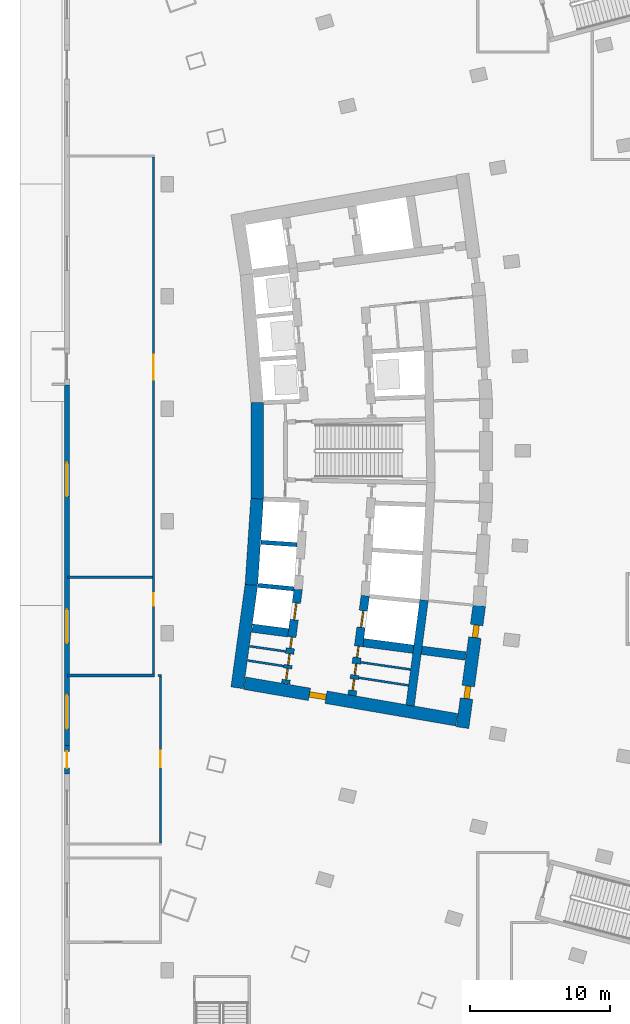
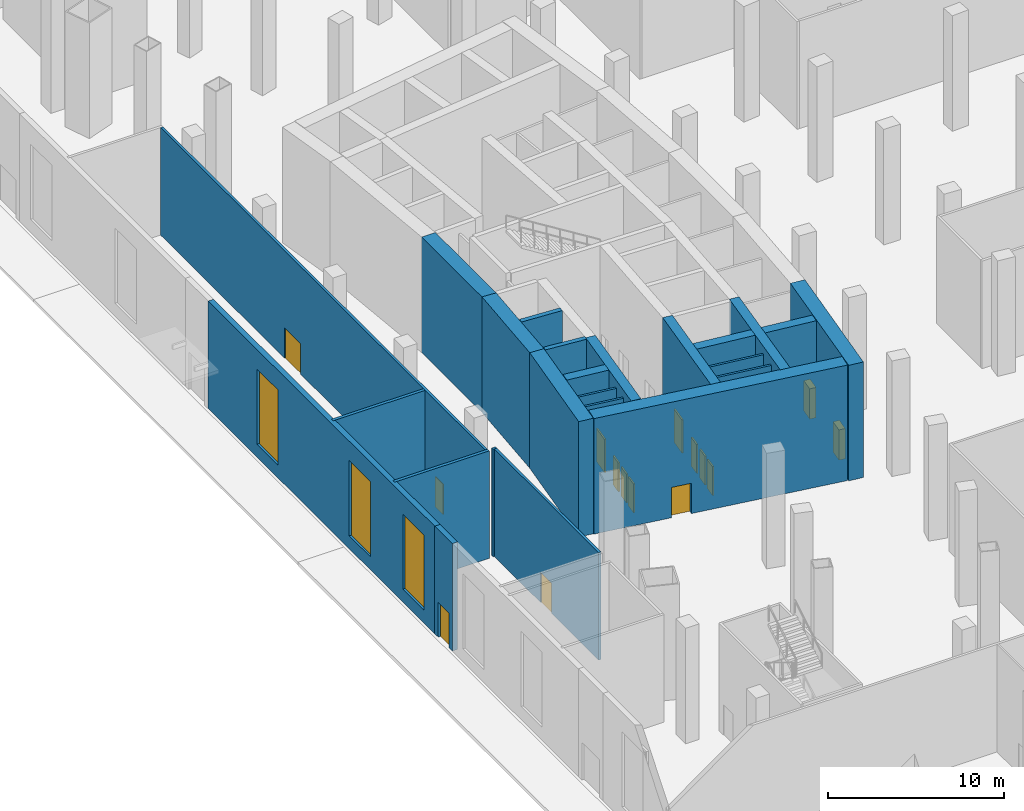
# One storey, part 14 of 33: 24 walls, 15 doors, 3 windows, 18 openings.
"""IFC4 building model written with IfcOpenShell, lengths in metres."""

from ifc_helpers import new_model, si_unit, direction, frame, frame_2d, origin, place, context, subcontext, project, spatial, rectangle, extrude, material, layer, layer_set, type_object, element, fill, save


model = new_model("IFC4")

# Units and contexts
model_context = context("Model", 3, precision=1e-05, world=origin(), true_north=direction((0.0, 1.0)))
body_context = subcontext(model_context, "Body", "Model", "MODEL_VIEW")
ifc_project = project(units=[si_unit("LENGTHUNIT", "METRE"), si_unit("AREAUNIT", "SQUARE_METRE"), si_unit("VOLUMEUNIT", "CUBIC_METRE"), si_unit("PLANEANGLEUNIT", "RADIAN"), si_unit("MASSUNIT", "GRAM", prefix="KILO")], contexts=[model_context])

# Site, building, storey
site_placement = place(None, origin())
site = spatial("IfcSite", under=ifc_project, at=site_placement, CompositionType="ELEMENT")
building_placement = place(site_placement, origin())
building = spatial("IfcBuilding", under=site, at=building_placement, Name="Alderwake Tower", CompositionType="ELEMENT")
storey_placement = place(building_placement, origin())
storey = spatial("IfcBuildingStorey", under=building, at=storey_placement, Name="L00", CompositionType="ELEMENT", Elevation=0.0)

# Walls
ifc_material_1 = material(Name="Gypsum shaft wall system, rated")
ifc_layer_1 = layer(ifc_material_1, 0.14990234375)
ifc_layer_set_1 = layer_set([ifc_layer_1], Name="Core room partition 150")
wall_type_1 = type_object("IfcWallType", Name="Core room partition 150", PredefinedType="PARTITIONING", material=ifc_layer_set_1)
wall_1_placement = place(storey_placement, frame((16.2216796875, 46.0673828125, 0.0), z_axis=(0.0, 0.0, 1.0), x_axis=(0.988167260949, -0.153380130356, 0.0)))
element("IfcWall", 1, at=wall_1_placement, inside=storey, type_object=wall_type_1, Name="CW/L00/PR-161_+0", PredefinedType="PARTITIONING", context=body_context, shape_type="SweptSolid", body=[
    extrude(rectangle(XDim=2.593017578125, YDim=0.14990234375, at=frame_2d((1.29638671875, 0.0))), origin(), (0.0, 0.0, 1.0), 7.449951171875),
])
wall_2_placement = place(storey_placement, frame((24.117431640625, 44.842041015625, 0.0), z_axis=(0.0, 0.0, 1.0), x_axis=(0.988173903359, -0.153337329832, 0.0)))
element("IfcWall", 2, at=wall_2_placement, inside=storey, type_object=wall_type_1, Name="CW/L00/PR-161_+86", PredefinedType="PARTITIONING", context=body_context, shape_type="SweptSolid", body=[
    extrude(rectangle(XDim=3.5966796875, YDim=0.14990234375, at=frame_2d((1.79833984375, 0.0))), origin(), (0.0, 0.0, 1.0), 7.449951171875),
])
wall_3_placement = place(storey_placement, frame((16.361328125, 47.08203125, 0.0), z_axis=(0.0, 0.0, 1.0), x_axis=(0.989733250733, -0.142926877787, 0.0)))
element("IfcWall", 3, at=wall_3_placement, inside=storey, type_object=wall_type_1, Name="CW/L00/PR-150_+0", PredefinedType="PARTITIONING", context=body_context, shape_type="SweptSolid", body=[
    extrude(rectangle(XDim=2.587890625, YDim=0.14990234375, at=frame_2d((1.2939453125, 0.0))), origin(), (0.0, 0.0, 1.0), 7.449951171875),
])
wall_4_placement = place(storey_placement, frame((24.263916015625, 45.940673828125, 0.0), z_axis=(0.0, 0.0, 1.0), x_axis=(0.989732412963, -0.142932679013, 0.0)))
element("IfcWall", 4, at=wall_4_placement, inside=storey, type_object=wall_type_1, Name="CW/L00/PR-150_+86", PredefinedType="PARTITIONING", context=body_context, shape_type="SweptSolid", body=[
    extrude(rectangle(XDim=3.595458984375, YDim=0.14990234375, at=frame_2d((1.7978515625, 0.0))), origin(), (0.0, 0.0, 1.0), 7.449951171875),
])
ifc_material_2 = material(Name="Concrete C70/85", Category="concrete")
ifc_layer_2 = layer(ifc_material_2, 0.89990234375)
ifc_layer_set_2 = layer_set([ifc_layer_2], Name="Core wall outer 900 C70-85")
wall_type_2 = type_object("IfcWallType", Name="Core wall outer 900 C70-85", PredefinedType="SHEAR", material=ifc_layer_set_2)
wall_5_placement = place(storey_placement, frame((15.46923828125, 44.1201171875, 0.0), z_axis=(0.0, 0.0, 1.0), x_axis=(0.136337234661, 0.990662484626, 0.0)))
element("IfcWall", 5, at=wall_5_placement, inside=storey, type_object=wall_type_2, Name="Core wall CW.042", PredefinedType="SHEAR", context=body_context, shape_type="SweptSolid", body=[
    extrude(rectangle(XDim=7.431396484375, YDim=0.89990234375, at=frame_2d((3.7158203125, 0.0))), origin(), (0.0, 0.0, 1.0), 8.0),
])
wall_6_placement = place(storey_placement, frame((16.47900390625, 51.449951171875, 0.0), z_axis=(0.0, 0.0, 1.0), x_axis=(0.06689316208, 0.997760143956, 0.0)))
element("IfcWall", 6, at=wall_6_placement, inside=storey, type_object=wall_type_2, Name="Core wall CW.041", PredefinedType="SHEAR", context=body_context, shape_type="SweptSolid", body=[
    extrude(rectangle(XDim=6.149658203125, YDim=0.89990234375, at=frame_2d((3.07470703125, 0.0))), origin(), (0.0, 0.0, 1.0), 8.0),
])
wall_7_placement = place(storey_placement, frame((16.889404296875, 57.5546875, 0.0), z_axis=(0.0, 0.0, 1.0), x_axis=(0.0, 1.0, 0.0)))
element("IfcWall", 7, at=wall_7_placement, inside=storey, type_object=wall_type_2, Name="Core wall CW.043", PredefinedType="SHEAR", context=body_context, shape_type="SweptSolid", body=[
    extrude(rectangle(XDim=6.89404296875, YDim=0.89990234375, at=frame_2d((3.447021484375, 0.0))), origin(), (0.0, 0.0, 1.0), 8.0),
])

# Wall, openings, doors
wall_8_placement = place(storey_placement, frame((32.7138671875, 49.9873046875, 0.0), z_axis=(0.0, 0.0, 1.0), x_axis=(-0.135844728876, -0.990730139663, 0.0)))
wall_8 = element("IfcWall", 8, at=wall_8_placement, inside=storey, type_object=wall_type_2, Name="Core wall CW.012", PredefinedType="SHEAR", context=body_context, shape_type="SweptSolid", body=[
    extrude(rectangle(XDim=8.78662109375, YDim=0.89990234375, at=frame_2d((4.393310546875, 0.0))), origin(), (0.0, 0.0, 1.0), 8.0),
])
opening_1_placement = place(wall_8_placement, frame((1.40673828125, 0.0, 0.0)))
opening_1 = element("IfcOpeningElement", 9, at=opening_1_placement, cuts=wall_8, Name="Opening C050", PredefinedType="OPENING", context=body_context, shape_type="SweptSolid", body=[
    extrude(rectangle(XDim=0.89990234375, YDim=2.10009765625, at=frame_2d((0.449951171875, 1.050048828125))), frame((0.0, 0.4599609375, 0.0), z_axis=(0.0, -1.0, 0.0), x_axis=(1.0, 0.0, 0.0)), (0.0, 0.0, 1.0), 0.919921875),
])
opening_2_placement = place(wall_8_placement, frame((5.79248046875, 0.0, 0.0)))
opening_2 = element("IfcOpeningElement", 10, at=opening_2_placement, cuts=wall_8, Name="Opening C061", PredefinedType="OPENING", context=body_context, shape_type="SweptSolid", body=[
    extrude(rectangle(XDim=0.89990234375, YDim=2.10009765625, at=frame_2d((0.449951171875, 1.050048828125))), frame((0.0, 0.4599609375, 0.0), z_axis=(0.0, -1.0, 0.0), x_axis=(1.0, 0.0, 0.0)), (0.0, 0.0, 1.0), 0.919921875),
])
ifc_material_3 = material(Name="Painted steel leaf", Category="steel")
door_type_1 = type_object("IfcDoorType", Name="Core room door 900", OperationType="SINGLE_SWING_LEFT", PredefinedType="DOOR", material=ifc_material_3)
door_1_placement = place(opening_1_placement, origin())
door_1 = element("IfcDoor", 11, at=door_1_placement, inside=storey, type_object=door_type_1, Name="Room door", OperationType="SINGLE_SWING_RIGHT", OverallHeight=2.10009765625, OverallWidth=0.89990234375, PredefinedType="DOOR", context=body_context, shape_type="SweptSolid", body=[
    extrude(rectangle(XDim=0.89990234375, YDim=2.10009765625, at=frame_2d((0.449951171875, 1.050048828125))), frame((0.0, 0.199951171875, 0.0), z_axis=(0.0, -1.0, 0.0), x_axis=(1.0, 0.0, 0.0)), (0.0, 0.0, 1.0), 0.39990234375),
])
fill(opening_1, door_1)
door_2_placement = place(opening_2_placement, origin())
door_2 = element("IfcDoor", 12, at=door_2_placement, inside=storey, type_object=door_type_1, Name="Room door", OperationType="SINGLE_SWING_LEFT", OverallHeight=2.10009765625, OverallWidth=0.89990234375, PredefinedType="DOOR", context=body_context, shape_type="SweptSolid", body=[
    extrude(rectangle(XDim=0.89990234375, YDim=2.10009765625, at=frame_2d((0.449951171875, 1.050048828125))), frame((0.0, 0.199951171875, 0.0), z_axis=(0.0, -1.0, 0.0), x_axis=(1.0, 0.0, 0.0)), (0.0, 0.0, 1.0), 0.39990234375),
])
fill(opening_2, door_2)

# Wall, opening, door
wall_9_placement = place(storey_placement, frame((31.11328125, 41.846923828125, 0.0), z_axis=(0.0, 0.0, 1.0), x_axis=(-0.985466640605, 0.169869067972, 0.0)))
wall_9 = element("IfcWall", 13, at=wall_9_placement, inside=storey, type_object=wall_type_2, Name="Core wall CW.070", PredefinedType="SHEAR", context=body_context, shape_type="SweptSolid", body=[
    extrude(rectangle(XDim=15.336669921875, YDim=0.89990234375, at=frame_2d((7.66845703125, 0.0))), origin(), (0.0, 0.0, 1.0), 8.0),
])
opening_3_placement = place(wall_9_placement, frame((9.451904296875, 0.0, 0.0)))
opening_3 = element("IfcOpeningElement", 14, at=opening_3_placement, cuts=wall_9, Name="Opening C003", PredefinedType="OPENING", context=body_context, shape_type="SweptSolid", body=[
    extrude(rectangle(XDim=1.199951171875, YDim=2.10009765625, at=frame_2d((0.60009765625, 1.050048828125))), frame((0.0, 0.4599609375, 0.0), z_axis=(0.0, -1.0, 0.0), x_axis=(1.0, 0.0, 0.0)), (0.0, 0.0, 1.0), 0.919921875),
])
ifc_material_4 = material(Name="Steel-framed fire door leaf", Category="steel")
door_type_2 = type_object("IfcDoorType", Name="Core lobby exit door 1200 fire-rated", OperationType="SINGLE_SWING_LEFT", PredefinedType="DOOR", material=ifc_material_4)
door_3_placement = place(opening_3_placement, origin())
door_3 = element("IfcDoor", 15, at=door_3_placement, inside=storey, type_object=door_type_2, Name="Lobby door", OperationType="SINGLE_SWING_LEFT", OverallHeight=2.10009765625, OverallWidth=1.199951171875, PredefinedType="DOOR", context=body_context, shape_type="SweptSolid", body=[
    extrude(rectangle(XDim=1.199951171875, YDim=2.10009765625, at=frame_2d((0.60009765625, 1.050048828125))), frame((0.0, 0.199951171875, 0.0), z_axis=(0.0, -1.0, 0.0), x_axis=(1.0, 0.0, 0.0)), (0.0, 0.0, 1.0), 0.39990234375),
])
fill(opening_3, door_3)

# Walls
ifc_material_5 = material(Name="Concrete C70/85", Category="concrete")
ifc_layer_3 = layer(ifc_material_5, 0.300048828125)
ifc_layer_set_3 = layer_set([ifc_layer_3], Name="Core wall shaft 300 C70-85")
wall_type_3 = type_object("IfcWallType", Name="Core wall shaft 300 C70-85", PredefinedType="SHEAR", material=ifc_layer_set_3)
wall_10_placement = place(storey_placement, frame((16.9580078125, 51.4189453125, 0.0), z_axis=(0.0, 0.0, 1.0), x_axis=(0.995153154577, -0.098337169657, 0.0)))
element("IfcWall", 16, at=wall_10_placement, inside=storey, type_object=wall_type_3, Name="Core wall CW.065", PredefinedType="SHEAR", context=body_context, shape_type="SweptSolid", body=[
    extrude(rectangle(XDim=2.569580078125, YDim=0.300048828125, at=frame_2d((1.28466796875, 0.0))), origin(), (0.0, 0.0, 1.0), 8.0),
])
wall_11_placement = place(storey_placement, frame((17.16357421875, 54.486083984375, 0.0), z_axis=(0.0, 0.0, 1.0), x_axis=(0.997758581961, -0.066916456292, 0.0)))
element("IfcWall", 17, at=wall_11_placement, inside=storey, type_object=wall_type_3, Name="Core wall CW.079", PredefinedType="SHEAR", context=body_context, shape_type="SweptSolid", body=[
    extrude(rectangle(XDim=2.568603515625, YDim=0.300048828125, at=frame_2d((1.2841796875, 0.0))), origin(), (0.0, 0.0, 1.0), 8.0),
])

# Wall, openings, doors
ifc_material_6 = material(Name="Concrete C70/85", Category="concrete")
ifc_layer_4 = layer(ifc_material_6, 0.60009765625)
ifc_layer_set_4 = layer_set([ifc_layer_4], Name="Core wall spine 600 C70-85")
wall_type_4 = type_object("IfcWallType", Name="Core wall spine 600 C70-85", PredefinedType="SHEAR", material=ifc_layer_set_4)
wall_12_placement = place(storey_placement, frame((19.815185546875, 51.14697265625, 0.0), z_axis=(0.0, 0.0, 1.0), x_axis=(-0.131854836214, -0.991269036219, 0.0)))
wall_12 = element("IfcWall", 18, at=wall_12_placement, inside=storey, type_object=wall_type_4, Name="Core wall CW.033", PredefinedType="SHEAR", context=body_context, shape_type="SweptSolid", body=[
    extrude(rectangle(XDim=6.782470703125, YDim=0.60009765625, at=frame_2d((3.39111328125, 0.0))), origin(), (0.0, 0.0, 1.0), 8.0),
])
opening_4_placement = place(wall_12_placement, frame((0.9921875, 0.0, 0.0)))
opening_4 = element("IfcOpeningElement", 19, at=opening_4_placement, cuts=wall_12, Name="Opening LD-LP1", PredefinedType="OPENING", context=body_context, shape_type="SweptSolid", body=[
    extrude(rectangle(XDim=1.199951171875, YDim=2.300048828125, at=frame_2d((0.60009765625, 1.14990234375))), frame((0.0, 0.31005859375, 0.0), z_axis=(0.0, -1.0, 0.0), x_axis=(1.0, 0.0, 0.0)), (0.0, 0.0, 1.0), 0.6201171875),
])
opening_5_placement = place(wall_12_placement, frame((5.699951171875, 0.0, 0.0)))
opening_5 = element("IfcOpeningElement", 20, at=opening_5_placement, cuts=wall_12, Name="Opening C009", PredefinedType="OPENING", context=body_context, shape_type="SweptSolid", body=[
    extrude(rectangle(XDim=0.800048828125, YDim=2.0, at=frame_2d((0.39990234375, 1.0))), frame((0.0, 0.31005859375, 0.0), z_axis=(0.0, -1.0, 0.0), x_axis=(1.0, 0.0, 0.0)), (0.0, 0.0, 1.0), 0.6201171875),
])
opening_6_placement = place(wall_12_placement, frame((4.64501953125, 0.0, 0.0)))
opening_6 = element("IfcOpeningElement", 21, at=opening_6_placement, cuts=wall_12, Name="Opening C011", PredefinedType="OPENING", context=body_context, shape_type="SweptSolid", body=[
    extrude(rectangle(XDim=0.800048828125, YDim=2.0, at=frame_2d((0.39990234375, 1.0))), frame((0.0, 0.31005859375, 0.0), z_axis=(0.0, -1.0, 0.0), x_axis=(1.0, 0.0, 0.0)), (0.0, 0.0, 1.0), 0.6201171875),
])
opening_7_placement = place(wall_12_placement, frame((3.4462890625, 0.0, 0.0)))
opening_7 = element("IfcOpeningElement", 22, at=opening_7_placement, cuts=wall_12, Name="Opening C012", PredefinedType="OPENING", context=body_context, shape_type="SweptSolid", body=[
    extrude(rectangle(XDim=0.800048828125, YDim=2.0, at=frame_2d((0.39990234375, 1.0))), frame((0.0, 0.31005859375, 0.0), z_axis=(0.0, -1.0, 0.0), x_axis=(1.0, 0.0, 0.0)), (0.0, 0.0, 1.0), 0.6201171875),
])
ifc_material_7 = material(Name="Stainless steel sliding leaf", Category="steel")
door_type_3 = type_object("IfcDoorType", Name="Lift landing door 1200", OperationType="SLIDING_TO_LEFT", PredefinedType="DOOR", material=ifc_material_7)
door_4_placement = place(opening_4_placement, origin())
door_4 = element("IfcDoor", 23, at=door_4_placement, inside=storey, type_object=door_type_3, Name="Lift landing door LP1", OperationType="SLIDING_TO_LEFT", OverallHeight=2.300048828125, OverallWidth=1.199951171875, PredefinedType="DOOR", context=body_context, shape_type="SweptSolid", body=[
    extrude(rectangle(XDim=1.199951171875, YDim=2.300048828125, at=frame_2d((0.60009765625, 1.14990234375))), frame((0.0, 0.050048828125, 0.0), z_axis=(0.0, -1.0, 0.0), x_axis=(1.0, 0.0, 0.0)), (0.0, 0.0, 1.0), 0.10009765625),
])
fill(opening_4, door_4)
ifc_material_8 = material(Name="Painted steel leaf, rated", Category="steel")
door_type_4 = type_object("IfcDoorType", Name="Riser access door 800", OperationType="SINGLE_SWING_LEFT", PredefinedType="DOOR", material=ifc_material_8)
door_5_placement = place(opening_5_placement, origin())
door_5 = element("IfcDoor", 24, at=door_5_placement, inside=storey, type_object=door_type_4, Name="Riser access door", OperationType="SINGLE_SWING_LEFT", OverallHeight=2.0, OverallWidth=0.800048828125, PredefinedType="DOOR", context=body_context, shape_type="SweptSolid", body=[
    extrude(rectangle(XDim=0.800048828125, YDim=2.0, at=frame_2d((0.39990234375, 1.0))), frame((0.0, 0.050048828125, 0.0), z_axis=(0.0, -1.0, 0.0), x_axis=(1.0, 0.0, 0.0)), (0.0, 0.0, 1.0), 0.10009765625),
])
fill(opening_5, door_5)
door_6_placement = place(opening_6_placement, origin())
door_6 = element("IfcDoor", 25, at=door_6_placement, inside=storey, type_object=door_type_4, Name="Riser access door", OperationType="SINGLE_SWING_RIGHT", OverallHeight=2.0, OverallWidth=0.800048828125, PredefinedType="DOOR", context=body_context, shape_type="SweptSolid", body=[
    extrude(rectangle(XDim=0.800048828125, YDim=2.0, at=frame_2d((0.39990234375, 1.0))), frame((0.0, 0.050048828125, 0.0), z_axis=(0.0, -1.0, 0.0), x_axis=(1.0, 0.0, 0.0)), (0.0, 0.0, 1.0), 0.10009765625),
])
fill(opening_6, door_6)
door_7_placement = place(opening_7_placement, origin())
door_7 = element("IfcDoor", 26, at=door_7_placement, inside=storey, type_object=door_type_4, Name="Riser access door", OperationType="SINGLE_SWING_LEFT", OverallHeight=2.0, OverallWidth=0.800048828125, PredefinedType="DOOR", context=body_context, shape_type="SweptSolid", body=[
    extrude(rectangle(XDim=0.800048828125, YDim=2.0, at=frame_2d((0.39990234375, 1.0))), frame((0.0, 0.050048828125, 0.0), z_axis=(0.0, -1.0, 0.0), x_axis=(1.0, 0.0, 0.0)), (0.0, 0.0, 1.0), 0.10009765625),
])
fill(opening_7, door_7)

wall_13_placement = place(storey_placement, frame((23.647705078125, 43.588134765625, 0.0), z_axis=(0.0, 0.0, 1.0), x_axis=(0.132069785658, 0.991240420744, 0.0)))
wall_13 = element("IfcWall", 27, at=wall_13_placement, inside=storey, type_object=wall_type_4, Name="Core wall CW.047", PredefinedType="SHEAR", context=body_context, shape_type="SweptSolid", body=[
    extrude(rectangle(XDim=7.150390625, YDim=0.60009765625, at=frame_2d((3.5751953125, 0.0))), origin(), (0.0, 0.0, 1.0), 8.0),
])
opening_8_placement = place(wall_13_placement, frame((4.88134765625, 0.0, 0.0)))
opening_8 = element("IfcOpeningElement", 28, at=opening_8_placement, cuts=wall_13, Name="Opening LD-LP4", PredefinedType="OPENING", context=body_context, shape_type="SweptSolid", body=[
    extrude(rectangle(XDim=1.199951171875, YDim=2.300048828125, at=frame_2d((0.60009765625, 1.14990234375))), frame((0.0, 0.31005859375, 0.0), z_axis=(0.0, -1.0, 0.0), x_axis=(1.0, 0.0, 0.0)), (0.0, 0.0, 1.0), 0.6201171875),
])
opening_9_placement = place(wall_13_placement, frame((0.35791015625, 0.0, 0.0)))
opening_9 = element("IfcOpeningElement", 29, at=opening_9_placement, cuts=wall_13, Name="Opening C016", PredefinedType="OPENING", context=body_context, shape_type="SweptSolid", body=[
    extrude(rectangle(XDim=0.800048828125, YDim=2.0, at=frame_2d((0.39990234375, 1.0))), frame((0.0, 0.31005859375, 0.0), z_axis=(0.0, -1.0, 0.0), x_axis=(1.0, 0.0, 0.0)), (0.0, 0.0, 1.0), 0.6201171875),
])
opening_10_placement = place(wall_13_placement, frame((1.46337890625, 0.0, 0.0)))
opening_10 = element("IfcOpeningElement", 30, at=opening_10_placement, cuts=wall_13, Name="Opening C018", PredefinedType="OPENING", context=body_context, shape_type="SweptSolid", body=[
    extrude(rectangle(XDim=0.800048828125, YDim=2.0, at=frame_2d((0.39990234375, 1.0))), frame((0.0, 0.31005859375, 0.0), z_axis=(0.0, -1.0, 0.0), x_axis=(1.0, 0.0, 0.0)), (0.0, 0.0, 1.0), 0.6201171875),
])
opening_11_placement = place(wall_13_placement, frame((2.719482421875, 0.0, 0.0)))
opening_11 = element("IfcOpeningElement", 31, at=opening_11_placement, cuts=wall_13, Name="Opening C019", PredefinedType="OPENING", context=body_context, shape_type="SweptSolid", body=[
    extrude(rectangle(XDim=0.800048828125, YDim=2.0, at=frame_2d((0.39990234375, 1.0))), frame((0.0, 0.31005859375, 0.0), z_axis=(0.0, -1.0, 0.0), x_axis=(1.0, 0.0, 0.0)), (0.0, 0.0, 1.0), 0.6201171875),
])
door_8_placement = place(opening_8_placement, origin())
door_8 = element("IfcDoor", 32, at=door_8_placement, inside=storey, type_object=door_type_3, Name="Lift landing door LP4", OperationType="SLIDING_TO_LEFT", OverallHeight=2.300048828125, OverallWidth=1.199951171875, PredefinedType="DOOR", context=body_context, shape_type="SweptSolid", body=[
    extrude(rectangle(XDim=1.199951171875, YDim=2.300048828125, at=frame_2d((0.60009765625, 1.14990234375))), frame((0.0, 0.050048828125, 0.0), z_axis=(0.0, -1.0, 0.0), x_axis=(1.0, 0.0, 0.0)), (0.0, 0.0, 1.0), 0.10009765625),
])
fill(opening_8, door_8)
door_9_placement = place(opening_9_placement, origin())
door_9 = element("IfcDoor", 33, at=door_9_placement, inside=storey, type_object=door_type_4, Name="Riser access door", OperationType="SINGLE_SWING_RIGHT", OverallHeight=2.0, OverallWidth=0.800048828125, PredefinedType="DOOR", context=body_context, shape_type="SweptSolid", body=[
    extrude(rectangle(XDim=0.800048828125, YDim=2.0, at=frame_2d((0.39990234375, 1.0))), frame((0.0, 0.050048828125, 0.0), z_axis=(0.0, -1.0, 0.0), x_axis=(1.0, 0.0, 0.0)), (0.0, 0.0, 1.0), 0.10009765625),
])
fill(opening_9, door_9)
door_10_placement = place(opening_10_placement, origin())
door_10 = element("IfcDoor", 34, at=door_10_placement, inside=storey, type_object=door_type_4, Name="Riser access door", OperationType="SINGLE_SWING_LEFT", OverallHeight=2.0, OverallWidth=0.800048828125, PredefinedType="DOOR", context=body_context, shape_type="SweptSolid", body=[
    extrude(rectangle(XDim=0.800048828125, YDim=2.0, at=frame_2d((0.39990234375, 1.0))), frame((0.0, 0.050048828125, 0.0), z_axis=(0.0, -1.0, 0.0), x_axis=(1.0, 0.0, 0.0)), (0.0, 0.0, 1.0), 0.10009765625),
])
fill(opening_10, door_10)
door_11_placement = place(opening_11_placement, origin())
door_11 = element("IfcDoor", 35, at=door_11_placement, inside=storey, type_object=door_type_4, Name="Riser access door", OperationType="SINGLE_SWING_RIGHT", OverallHeight=2.0, OverallWidth=0.800048828125, PredefinedType="DOOR", context=body_context, shape_type="SweptSolid", body=[
    extrude(rectangle(XDim=0.800048828125, YDim=2.0, at=frame_2d((0.39990234375, 1.0))), frame((0.0, 0.050048828125, 0.0), z_axis=(0.0, -1.0, 0.0), x_axis=(1.0, 0.0, 0.0)), (0.0, 0.0, 1.0), 0.10009765625),
])
fill(opening_11, door_11)

# Walls
wall_14_placement = place(storey_placement, frame((27.78369140625, 42.85693359375, 0.0), z_axis=(0.0, 0.0, 1.0), x_axis=(0.131768985664, 0.991280451949, 0.0)))
element("IfcWall", 36, at=wall_14_placement, inside=storey, type_object=wall_type_4, Name="Core wall CW.006", PredefinedType="SHEAR", context=body_context, shape_type="SweptSolid", body=[
    extrude(rectangle(XDim=7.576171875, YDim=0.60009765625, at=frame_2d((3.7880859375, 0.0))), origin(), (0.0, 0.0, 1.0), 8.0),
])
wall_15_placement = place(storey_placement, frame((16.5390625, 48.373291015625, 0.0), z_axis=(0.0, 0.0, 1.0), x_axis=(0.99156081818, -0.129642369037, 0.0)))
element("IfcWall", 37, at=wall_15_placement, inside=storey, type_object=wall_type_4, Name="Core wall CW.067", PredefinedType="SHEAR", context=body_context, shape_type="SweptSolid", body=[
    extrude(rectangle(XDim=2.581787109375, YDim=0.60009765625, at=frame_2d((1.291015625, 0.0))), origin(), (0.0, 0.0, 1.0), 8.0),
])
wall_16_placement = place(storey_placement, frame((24.4501953125, 47.338623046875, 0.0), z_axis=(0.0, 0.0, 1.0), x_axis=(0.99155225032, -0.129707882892, 0.0)))
element("IfcWall", 38, at=wall_16_placement, inside=storey, type_object=wall_type_4, Name="Core wall CW.069", PredefinedType="SHEAR", context=body_context, shape_type="SweptSolid", body=[
    extrude(rectangle(XDim=3.594970703125, YDim=0.60009765625, at=frame_2d((1.79736328125, 0.0))), origin(), (0.0, 0.0, 1.0), 8.0),
])
wall_17_placement = place(storey_placement, frame((28.609619140625, 46.794677734375, 0.0), z_axis=(0.0, 0.0, 1.0), x_axis=(0.991551544298, -0.129713279967, 0.0)))
element("IfcWall", 39, at=wall_17_placement, inside=storey, type_object=wall_type_4, Name="Core wall CW.068", PredefinedType="SHEAR", context=body_context, shape_type="SweptSolid", body=[
    extrude(rectangle(XDim=3.152587890625, YDim=0.60009765625, at=frame_2d((1.576171875, 0.0))), origin(), (0.0, 0.0, 1.0), 8.0),
])
ifc_material_9 = material(Name="Gypsum board on metal studs, rated")
ifc_layer_5 = layer(ifc_material_9, 0.159912109375)
ifc_layer_set_5 = layer_set([ifc_layer_5], Name="Corridor wall 160")
wall_type_5 = type_object("IfcWallType", Name="Corridor wall 160", PredefinedType="PARTITIONING", material=ifc_layer_set_5)
wall_18_placement = place(storey_placement, frame((9.834228515625, 45.0, 0.0), z_axis=(0.0, 0.0, 1.0), x_axis=(1.0, 0.0, 0.0)))
element("IfcWall", 40, at=wall_18_placement, inside=storey, type_object=wall_type_5, Name="WL/L00/W64", PredefinedType="PARTITIONING", context=body_context, shape_type="SweptSolid", body=[
    extrude(rectangle(XDim=0.244873046875, YDim=0.159912109375, at=frame_2d((0.12255859375, 0.0))), origin(), (0.0, 0.0, 1.0), 7.449951171875),
])

# Wall, openings, doors
wall_19_placement = place(storey_placement, frame((9.5009765625, 81.9189453125, 0.0), z_axis=(0.0, 0.0, 1.0), x_axis=(0.0, -1.0, 0.0)))
wall_19 = element("IfcWall", 41, at=wall_19_placement, inside=storey, type_object=wall_type_5, Name="WL/L00/W65", PredefinedType="PARTITIONING", context=body_context, shape_type="SweptSolid", body=[
    extrude(rectangle(XDim=36.81884765625, YDim=0.159912109375, at=frame_2d((18.409423828125, 0.0))), origin(), (0.0, 0.0, 1.0), 7.449951171875),
])
opening_12_placement = place(wall_19_placement, frame((31.069091796875, 0.0, 0.0)))
opening_12 = element("IfcOpeningElement", 42, at=opening_12_placement, cuts=wall_19, Name="Opening L00-08", PredefinedType="OPENING", context=body_context, shape_type="SweptSolid", body=[
    extrude(rectangle(XDim=0.89990234375, YDim=2.10009765625, at=frame_2d((0.449951171875, 1.050048828125))), frame((0.0, 0.08984375, 0.0), z_axis=(0.0, -1.0, 0.0), x_axis=(1.0, 0.0, 0.0)), (0.0, 0.0, 1.0), 0.179931640625),
])
opening_13_placement = place(wall_19_placement, frame((14.069091796875, 0.0, 0.0)))
opening_13 = element("IfcOpeningElement", 43, at=opening_13_placement, cuts=wall_19, Name="Opening L00-09", PredefinedType="OPENING", context=body_context, shape_type="SweptSolid", body=[
    extrude(rectangle(XDim=1.800048828125, YDim=2.10009765625, at=frame_2d((0.89990234375, 1.050048828125))), frame((0.0, 0.08984375, 0.0), z_axis=(0.0, -1.0, 0.0), x_axis=(1.0, 0.0, 0.0)), (0.0, 0.0, 1.0), 0.179931640625),
])
ifc_material_10 = material(Name="Painted timber leaf", Category="wood")
door_type_5 = type_object("IfcDoorType", Name="Room door 900", OperationType="SINGLE_SWING_LEFT", PredefinedType="DOOR", material=ifc_material_10)
door_12_placement = place(opening_12_placement, origin())
door_12 = element("IfcDoor", 44, at=door_12_placement, inside=storey, type_object=door_type_5, Name="DR/L00/08", OperationType="SINGLE_SWING_LEFT", OverallHeight=2.10009765625, OverallWidth=0.89990234375, PredefinedType="DOOR", context=body_context, shape_type="SweptSolid", body=[
    extrude(rectangle(XDim=0.89990234375, YDim=2.10009765625, at=frame_2d((0.449951171875, 1.050048828125))), frame((0.0, 0.02490234375, 0.0), z_axis=(0.0, -1.0, 0.0), x_axis=(1.0, 0.0, 0.0)), (0.0, 0.0, 1.0), 0.050048828125),
])
fill(opening_12, door_12)
ifc_material_11 = material(Name="Aluminium framed glazed leaves", Category="aluminium")
door_type_6 = type_object("IfcDoorType", Name="Shopfront door 1800 glazed double", OperationType="DOUBLE_DOOR_SINGLE_SWING", PredefinedType="DOOR", material=ifc_material_11)
door_13_placement = place(opening_13_placement, origin())
door_13 = element("IfcDoor", 45, at=door_13_placement, inside=storey, type_object=door_type_6, Name="DR/L00/09", OperationType="DOUBLE_DOOR_SINGLE_SWING", OverallHeight=2.10009765625, OverallWidth=1.800048828125, PredefinedType="DOOR", context=body_context, shape_type="SweptSolid", body=[
    extrude(rectangle(XDim=1.800048828125, YDim=2.10009765625, at=frame_2d((0.89990234375, 1.050048828125))), frame((0.0, 0.02490234375, 0.0), z_axis=(0.0, -1.0, 0.0), x_axis=(1.0, 0.0, 0.0)), (0.0, 0.0, 1.0), 0.050048828125),
])
fill(opening_13, door_13)

# Wall, opening, door
wall_20_placement = place(storey_placement, frame((9.9990234375, 44.919921875, 0.0), z_axis=(0.0, 0.0, 1.0), x_axis=(0.0, -1.0, 0.0)))
wall_20 = element("IfcWall", 46, at=wall_20_placement, inside=storey, type_object=wall_type_5, Name="WL/L00/W69", PredefinedType="PARTITIONING", context=body_context, shape_type="SweptSolid", body=[
    extrude(rectangle(XDim=11.83984375, YDim=0.159912109375, at=frame_2d((5.919921875, 0.0))), origin(), (0.0, 0.0, 1.0), 7.449951171875),
])
opening_14_placement = place(wall_20_placement, frame((5.27001953125, 0.0, 0.0)))
opening_14 = element("IfcOpeningElement", 47, at=opening_14_placement, cuts=wall_20, Name="Opening L00-07", PredefinedType="OPENING", context=body_context, shape_type="SweptSolid", body=[
    extrude(rectangle(XDim=1.199951171875, YDim=2.10009765625, at=frame_2d((0.60009765625, 1.050048828125))), frame((0.0, 0.08984375, 0.0), z_axis=(0.0, -1.0, 0.0), x_axis=(1.0, 0.0, 0.0)), (0.0, 0.0, 1.0), 0.179931640625),
])
ifc_material_12 = material(Name="Steel door leaf in steel frame", Category="steel")
door_type_7 = type_object("IfcDoorType", Name="Plant room door 1200 steel", OperationType="SINGLE_SWING_LEFT", PredefinedType="DOOR", material=ifc_material_12)
door_14_placement = place(opening_14_placement, origin())
door_14 = element("IfcDoor", 48, at=door_14_placement, inside=storey, type_object=door_type_7, Name="DR/L00/07", OperationType="SINGLE_SWING_LEFT", OverallHeight=2.10009765625, OverallWidth=1.199951171875, PredefinedType="DOOR", context=body_context, shape_type="SweptSolid", body=[
    extrude(rectangle(XDim=1.199951171875, YDim=2.10009765625, at=frame_2d((0.60009765625, 1.050048828125))), frame((0.0, 0.02490234375, 0.0), z_axis=(0.0, -1.0, 0.0), x_axis=(1.0, 0.0, 0.0)), (0.0, 0.0, 1.0), 0.050048828125),
])
fill(opening_14, door_14)

# Wall, openings, windows
ifc_material_13 = material(Name="Precast concrete C50/60 spandrel panel", Category="concrete")
ifc_layer_6 = layer(ifc_material_13, 0.35009765625)
ifc_layer_set_6 = layer_set([ifc_layer_6], Name="External wall EW4 Precast concrete C50/60 podium")
wall_type_6 = type_object("IfcWallType", Name="External wall EW4 Precast concrete C50/60 podium", PredefinedType="SOLIDWALL", material=ifc_layer_set_6)
wall_21_placement = place(storey_placement, frame((3.35009765625, 65.699951171875, 0.0), z_axis=(0.0, 0.0, 1.0), x_axis=(0.0, -1.0, 0.0)))
wall_21 = element("IfcWall", 49, at=wall_21_placement, inside=storey, type_object=wall_type_6, Name="External wall 28", PredefinedType="SOLIDWALL", context=body_context, shape_type="SweptSolid", body=[
    extrude(rectangle(XDim=25.699951171875, YDim=0.35009765625, at=frame_2d((12.85009765625, 0.0))), origin(), (0.0, 0.0, 1.0), 7.449951171875),
])
opening_15_placement = place(wall_21_placement, frame((5.550537109375, 0.0, 0.89990234375)))
opening_15 = element("IfcOpeningElement", 50, at=opening_15_placement, cuts=wall_21, Name="Opening W7", PredefinedType="OPENING", context=body_context, shape_type="SweptSolid", body=[
    extrude(rectangle(XDim=2.39990234375, YDim=5.199951171875, at=frame_2d((1.199951171875, 2.60009765625))), frame((0.0, 0.18505859375, 0.0), z_axis=(0.0, -1.0, 0.0), x_axis=(1.0, 0.0, 0.0)), (0.0, 0.0, 1.0), 0.3701171875),
])
opening_16_placement = place(wall_21_placement, frame((16.00048828125, 0.0, 0.89990234375)))
opening_16 = element("IfcOpeningElement", 51, at=opening_16_placement, cuts=wall_21, Name="Opening W7", PredefinedType="OPENING", context=body_context, shape_type="SweptSolid", body=[
    extrude(rectangle(XDim=2.39990234375, YDim=5.199951171875, at=frame_2d((1.199951171875, 2.60009765625))), frame((0.0, 0.18505859375, 0.0), z_axis=(0.0, -1.0, 0.0), x_axis=(1.0, 0.0, 0.0)), (0.0, 0.0, 1.0), 0.3701171875),
])
opening_17_placement = place(wall_21_placement, frame((22.10009765625, 0.0, 0.89990234375)))
opening_17 = element("IfcOpeningElement", 52, at=opening_17_placement, cuts=wall_21, Name="Opening W7", PredefinedType="OPENING", context=body_context, shape_type="SweptSolid", body=[
    extrude(rectangle(XDim=2.39990234375, YDim=5.199951171875, at=frame_2d((1.199951171875, 2.60009765625))), frame((0.0, 0.18505859375, 0.0), z_axis=(0.0, -1.0, 0.0), x_axis=(1.0, 0.0, 0.0)), (0.0, 0.0, 1.0), 0.3701171875),
])
ifc_material_14 = material(Name="Bronze tinted glass in aluminium frame", Category="aluminium")
window_type = type_object("IfcWindowType", Name="Window W7 podium ground floor tall", PartitioningType="DOUBLE_PANEL_VERTICAL", PredefinedType="WINDOW", material=ifc_material_14)
window_1_placement = place(opening_15_placement, origin())
window_1 = element("IfcWindow", 53, at=window_1_placement, inside=storey, type_object=window_type, Name="Window W7 podium ground floor tall", OverallHeight=5.199951171875, OverallWidth=2.39990234375, PartitioningType="DOUBLE_PANEL_VERTICAL", PredefinedType="WINDOW", context=body_context, shape_type="SweptSolid", body=[
    extrude(rectangle(XDim=2.39990234375, YDim=5.199951171875, at=frame_2d((1.199951171875, 2.60009765625))), frame((0.0, 0.030029296875, 0.0), z_axis=(0.0, -1.0, 0.0), x_axis=(1.0, 0.0, 0.0)), (0.0, 0.0, 1.0), 0.06005859375),
])
fill(opening_15, window_1)
window_2_placement = place(opening_16_placement, origin())
window_2 = element("IfcWindow", 54, at=window_2_placement, inside=storey, type_object=window_type, Name="Window W7 podium ground floor tall", OverallHeight=5.199951171875, OverallWidth=2.39990234375, PartitioningType="DOUBLE_PANEL_VERTICAL", PredefinedType="WINDOW", context=body_context, shape_type="SweptSolid", body=[
    extrude(rectangle(XDim=2.39990234375, YDim=5.199951171875, at=frame_2d((1.199951171875, 2.60009765625))), frame((0.0, 0.030029296875, 0.0), z_axis=(0.0, -1.0, 0.0), x_axis=(1.0, 0.0, 0.0)), (0.0, 0.0, 1.0), 0.06005859375),
])
fill(opening_16, window_2)
window_3_placement = place(opening_17_placement, origin())
window_3 = element("IfcWindow", 55, at=window_3_placement, inside=storey, type_object=window_type, Name="Window W7 podium ground floor tall", OverallHeight=5.199951171875, OverallWidth=2.39990234375, PartitioningType="DOUBLE_PANEL_VERTICAL", PredefinedType="WINDOW", context=body_context, shape_type="SweptSolid", body=[
    extrude(rectangle(XDim=2.39990234375, YDim=5.199951171875, at=frame_2d((1.199951171875, 2.60009765625))), frame((0.0, 0.030029296875, 0.0), z_axis=(0.0, -1.0, 0.0), x_axis=(1.0, 0.0, 0.0)), (0.0, 0.0, 1.0), 0.06005859375),
])
fill(opening_17, window_3)

# Wall, opening, door
wall_22_placement = place(storey_placement, frame((3.35009765625, 40.0, 0.0), z_axis=(0.0, 0.0, 1.0), x_axis=(0.0, -1.0, 0.0)))
wall_22 = element("IfcWall", 56, at=wall_22_placement, inside=storey, type_object=wall_type_6, Name="External wall 29", PredefinedType="SOLIDWALL", context=body_context, shape_type="SweptSolid", body=[
    extrude(rectangle(XDim=2.0, YDim=0.35009765625, at=frame_2d((1.0, 0.0))), origin(), (0.0, 0.0, 1.0), 7.449951171875),
])
opening_18_placement = place(wall_22_placement, frame((0.39990234375, 0.0, 0.0)))
opening_18 = element("IfcOpeningElement", 57, at=opening_18_placement, cuts=wall_22, Name="Opening D17", PredefinedType="OPENING", context=body_context, shape_type="SweptSolid", body=[
    extrude(rectangle(XDim=1.199951171875, YDim=2.39990234375, at=frame_2d((0.60009765625, 1.199951171875))), frame((0.0, 0.18505859375, 0.0), z_axis=(0.0, -1.0, 0.0), x_axis=(1.0, 0.0, 0.0)), (0.0, 0.0, 1.0), 0.3701171875),
])
ifc_material_15 = material(Name="Painted steel door leaf", Category="steel")
door_type_8 = type_object("IfcDoorType", Name="Service door SD", OperationType="SINGLE_SWING_LEFT", PredefinedType="DOOR", material=ifc_material_15)
door_15_placement = place(opening_18_placement, origin())
door_15 = element("IfcDoor", 58, at=door_15_placement, inside=storey, type_object=door_type_8, Name="Door D17", OperationType="SINGLE_SWING_LEFT", OverallHeight=2.39990234375, OverallWidth=1.199951171875, PredefinedType="DOOR", context=body_context, shape_type="SweptSolid", body=[
    extrude(rectangle(XDim=1.199951171875, YDim=2.39990234375, at=frame_2d((0.60009765625, 1.199951171875))), frame((0.0, 0.02490234375, 0.0), z_axis=(0.0, -1.0, 0.0), x_axis=(1.0, 0.0, 0.0)), (0.0, 0.0, 1.0), 0.050048828125),
])
fill(opening_18, door_15)

# Walls
ifc_material_16 = material(Name="Dense block masonry wall", Category="masonry")
ifc_layer_7 = layer(ifc_material_16, 0.199951171875)
ifc_layer_set_7 = layer_set([ifc_layer_7], Name="Party wall 200")
wall_type_7 = type_object("IfcWallType", Name="Party wall 200", PredefinedType="SOLIDWALL", material=ifc_layer_set_7)
wall_23_placement = place(storey_placement, frame((9.5810546875, 45.0, 0.0), z_axis=(0.0, 0.0, 1.0), x_axis=(-1.0, 0.0, 0.0)))
element("IfcWall", 59, at=wall_23_placement, inside=storey, type_object=wall_type_7, Name="WL/L00/W01", PredefinedType="SOLIDWALL", context=body_context, shape_type="SweptSolid", body=[
    extrude(rectangle(XDim=6.201171875, YDim=0.199951171875, at=frame_2d((3.1005859375, 0.0))), origin(), (0.0, 0.0, 1.0), 7.449951171875),
])
wall_24_placement = place(storey_placement, frame((9.4208984375, 51.9990234375, 0.0), z_axis=(0.0, 0.0, 1.0), x_axis=(-1.0, 0.0, 0.0)))
element("IfcWall", 60, at=wall_24_placement, inside=storey, type_object=wall_type_7, Name="WL/L00/W02", PredefinedType="SOLIDWALL", context=body_context, shape_type="SweptSolid", body=[
    extrude(rectangle(XDim=6.041015625, YDim=0.199951171875, at=frame_2d((3.0205078125, 0.0))), origin(), (0.0, 0.0, 1.0), 7.449951171875),
])

save(model, "model.ifc")
